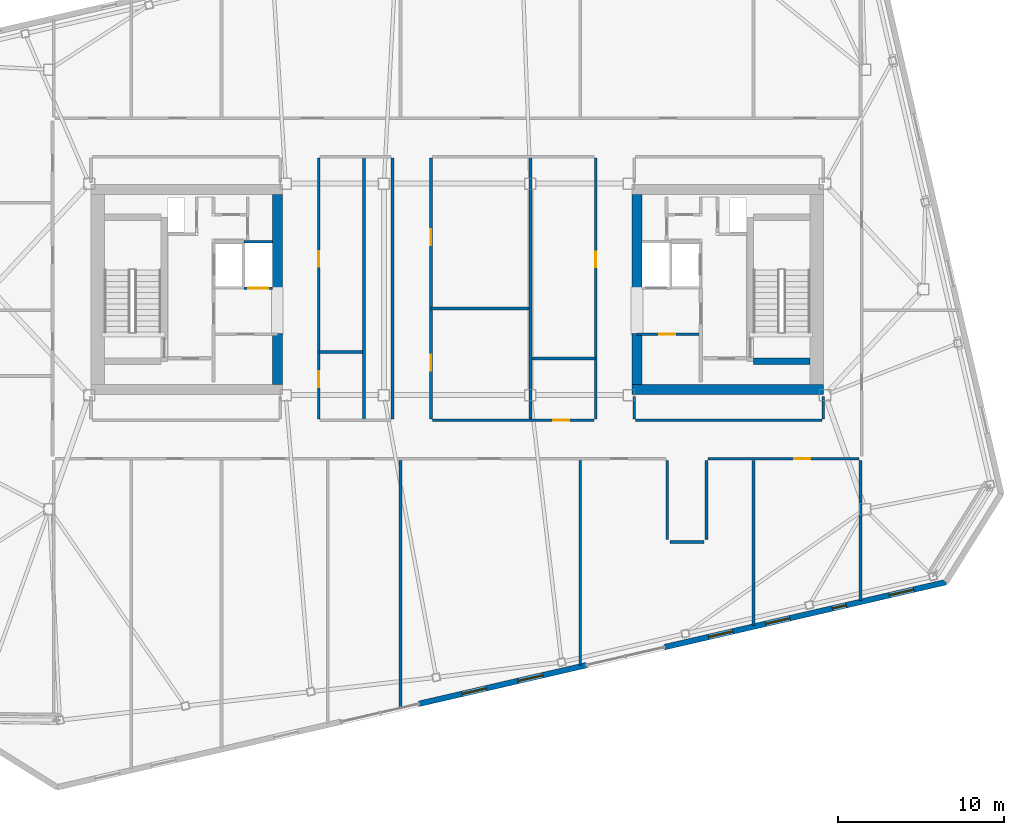
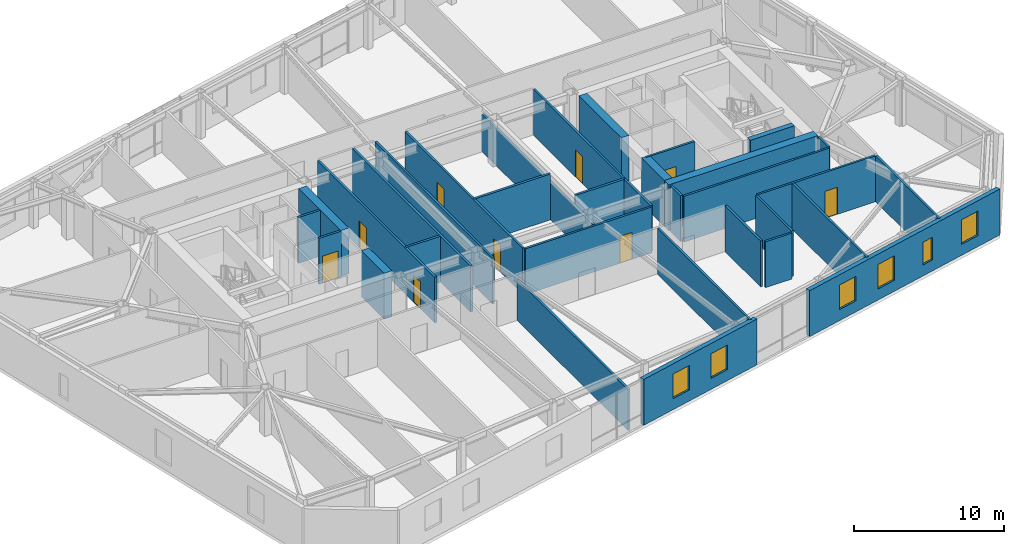
# One storey, part 17 of 23: 32 walls, 9 doors, 6 windows, 15 openings.
"""IFC4 building model written with IfcOpenShell, lengths in metres."""

from ifc_helpers import new_model, si_unit, direction, frame, frame_2d, origin, place, context, subcontext, project, spatial, rectangle, extrude, material, layer, layer_set, type_object, element, fill, save


model = new_model("IFC4")

# Units and contexts
model_context = context("Model", 3, precision=1e-05, world=origin(), true_north=direction((0.0, 1.0)))
body_context = subcontext(model_context, "Body", "Model", "MODEL_VIEW")
ifc_project = project(units=[si_unit("LENGTHUNIT", "METRE"), si_unit("AREAUNIT", "SQUARE_METRE"), si_unit("VOLUMEUNIT", "CUBIC_METRE"), si_unit("PLANEANGLEUNIT", "RADIAN"), si_unit("MASSUNIT", "GRAM", prefix="KILO")], contexts=[model_context])

# Site, building, storey
site_placement = place(None, origin())
site = spatial("IfcSite", under=ifc_project, at=site_placement, CompositionType="ELEMENT")
building_placement = place(site_placement, origin())
building = spatial("IfcBuilding", under=site, at=building_placement, Name="Tavrogorsk Clinical Tower", CompositionType="ELEMENT")
storey_placement = place(building_placement, frame((0.0, 0.0, 301.0)))
storey = spatial("IfcBuildingStorey", under=building, at=storey_placement, Name="L70", CompositionType="ELEMENT", Elevation=301.0)

# Wall, opening, door
ifc_material_1 = material(Name="Lightweight concrete blockwork B15", Category="masonry")
ifc_layer_1 = layer(ifc_material_1, 0.159912109375)
ifc_layer_set_1 = layer_set([ifc_layer_1], Name="Lightweight concrete blockwork B15")
wall_type_1 = type_object("IfcWallType", Name="PartitionWall_160", PredefinedType="PARTITIONING", material=ifc_layer_set_1)
wall_1_placement = place(storey_placement, frame((10.800048828125, -2.699951171875, 0.0), z_axis=(0.0, 0.0, 1.0), x_axis=(1.0, 0.0, 0.0)))
wall_1 = element("IfcWall", 1, at=wall_1_placement, inside=storey, type_object=wall_type_1, Name="L70 Core East Freed Mid-Bank North Partition", PredefinedType="PARTITIONING", context=body_context, shape_type="SweptSolid", body=[
    extrude(rectangle(XDim=3.73486328125, YDim=0.159912109375, at=frame_2d((1.867431640625, 0.0))), origin(), (0.0, 0.0, 1.0), 3.739990234375),
])
opening_1_placement = place(wall_1_placement, frame((1.35009765625, 0.0, 0.0)))
opening_1 = element("IfcOpeningElement", 2, at=opening_1_placement, cuts=wall_1, Name="Opening ID-02", PredefinedType="OPENING", context=body_context, shape_type="SweptSolid", body=[
    extrude(rectangle(XDim=0.949951171875, YDim=2.199951171875, at=frame_2d((0.47509765625, 1.10009765625))), frame((0.0, 0.08984375, 0.0), z_axis=(0.0, -1.0, 0.0), x_axis=(1.0, 0.0, 0.0)), (0.0, 0.0, 1.0), 0.179931640625),
])
ifc_material_2 = material(Name="Laminated timber leaf on aluminium frame", Category="wood")
door_type_1 = type_object("IfcDoorType", Name="InteriorDoor_ID02_950", OperationType="NOTDEFINED", PredefinedType="DOOR", material=ifc_material_2)
door_1_placement = place(opening_1_placement, origin())
door_1 = element("IfcDoor", 3, at=door_1_placement, inside=storey, type_object=door_type_1, Name="L70 Core East Pharmacy Prep Door", OperationType="SINGLE_SWING_LEFT", OverallHeight=2.199951171875, OverallWidth=0.949951171875, PredefinedType="DOOR", context=body_context, shape_type="SweptSolid", body=[
    extrude(rectangle(XDim=0.949951171875, YDim=2.199951171875, at=frame_2d((0.47509765625, 1.10009765625))), frame((0.0, 0.02490234375, 0.0), z_axis=(0.0, -1.0, 0.0), x_axis=(1.0, 0.0, 0.0)), (0.0, 0.0, 1.0), 0.050048828125),
])
fill(opening_1, door_1)

wall_2_placement = place(storey_placement, frame((24.14501953125, -10.179931640625, 0.0), z_axis=(0.0, 0.0, 1.0), x_axis=(-1.0, 0.0, 0.0)))
wall_2 = element("IfcWall", 4, at=wall_2_placement, inside=storey, type_object=wall_type_1, Name="L70 Corridor Partition 04", PredefinedType="PARTITIONING", context=body_context, shape_type="SweptSolid", body=[
    extrude(rectangle(XDim=9.080078125, YDim=0.159912109375, at=frame_2d((4.5400390625, 0.0))), origin(), (0.0, 0.0, 1.0), 3.739990234375),
])
opening_2_placement = place(wall_2_placement, frame((2.93408203125, 0.0, 0.0)))
opening_2 = element("IfcOpeningElement", 5, at=opening_2_placement, cuts=wall_2, Name="Opening ID-02", PredefinedType="OPENING", context=body_context, shape_type="SweptSolid", body=[
    extrude(rectangle(XDim=0.949951171875, YDim=2.199951171875, at=frame_2d((0.47509765625, 1.10009765625))), frame((0.0, 0.08984375, 0.0), z_axis=(0.0, -1.0, 0.0), x_axis=(1.0, 0.0, 0.0)), (0.0, 0.0, 1.0), 0.179931640625),
])
door_2_placement = place(opening_2_placement, origin())
door_2 = element("IfcDoor", 6, at=door_2_placement, inside=storey, type_object=door_type_1, Name="L70 South Clinical Case Seminar Room 06 Door", OperationType="SINGLE_SWING_LEFT", OverallHeight=2.199951171875, OverallWidth=0.949951171875, PredefinedType="DOOR", context=body_context, shape_type="SweptSolid", body=[
    extrude(rectangle(XDim=0.949951171875, YDim=2.199951171875, at=frame_2d((0.47509765625, 1.10009765625))), frame((0.0, 0.02490234375, 0.0), z_axis=(0.0, -1.0, 0.0), x_axis=(1.0, 0.0, 0.0)), (0.0, 0.0, 1.0), 0.050048828125),
])
fill(opening_2, door_2)

# Walls
wall_3_placement = place(storey_placement, frame((14.97998046875, -10.264892578125, 0.0), z_axis=(0.0, 0.0, 1.0), x_axis=(0.0, -1.0, 0.0)))
element("IfcWall", 7, at=wall_3_placement, inside=storey, type_object=wall_type_1, Name="L70 Corridor Partition 05", PredefinedType="PARTITIONING", context=body_context, shape_type="SweptSolid", body=[
    extrude(rectangle(XDim=4.75, YDim=0.159912109375, at=frame_2d((2.375, 0.0))), origin(), (0.0, 0.0, 1.0), 3.739990234375),
])
wall_4_placement = place(storey_placement, frame((14.81494140625, -15.179931640625, 0.0), z_axis=(0.0, 0.0, 1.0), x_axis=(-1.0, 0.0, 0.0)))
element("IfcWall", 8, at=wall_4_placement, inside=storey, type_object=wall_type_1, Name="L70 Corridor Partition 06", PredefinedType="PARTITIONING", context=body_context, shape_type="SweptSolid", body=[
    extrude(rectangle(XDim=2.030029296875, YDim=0.159912109375, at=frame_2d((1.01513671875, 0.0))), origin(), (0.0, 0.0, 1.0), 3.739990234375),
])
wall_5_placement = place(storey_placement, frame((12.6201171875, -15.014892578125, 0.0), z_axis=(0.0, 0.0, 1.0), x_axis=(0.0, 1.0, 0.0)))
element("IfcWall", 9, at=wall_5_placement, inside=storey, type_object=wall_type_1, Name="L70 Corridor Partition 07", PredefinedType="PARTITIONING", context=body_context, shape_type="SweptSolid", body=[
    extrude(rectangle(XDim=4.75, YDim=0.159912109375, at=frame_2d((2.375, 0.0))), origin(), (0.0, 0.0, 1.0), 3.739990234375),
])
wall_6_placement = place(storey_placement, frame((10.6298828125, -6.419921875, 0.0), z_axis=(0.0, 0.0, 1.0), x_axis=(0.0, -1.0, 0.0)))
element("IfcWall", 10, at=wall_6_placement, inside=storey, type_object=wall_type_1, Name="L70 Corridor Partition 11", PredefinedType="PARTITIONING", context=body_context, shape_type="SweptSolid", body=[
    extrude(rectangle(XDim=1.364990234375, YDim=0.159912109375, at=frame_2d((0.6826171875, 0.0))), origin(), (0.0, 0.0, 1.0), 3.739990234375),
])
wall_7_placement = place(storey_placement, frame((10.715087890625, -7.8701171875, 0.0), z_axis=(0.0, 0.0, 1.0), x_axis=(1.0, 0.0, 0.0)))
element("IfcWall", 11, at=wall_7_placement, inside=storey, type_object=wall_type_1, Name="L70 Corridor Partition 12", PredefinedType="PARTITIONING", context=body_context, shape_type="SweptSolid", body=[
    extrude(rectangle(XDim=11.199951171875, YDim=0.159912109375, at=frame_2d((5.60009765625, 0.0))), origin(), (0.0, 0.0, 1.0), 3.739990234375),
])
wall_8_placement = place(storey_placement, frame((22.0, -7.784912109375, 0.0), z_axis=(0.0, 0.0, 1.0), x_axis=(0.0, 1.0, 0.0)))
element("IfcWall", 12, at=wall_8_placement, inside=storey, type_object=wall_type_1, Name="L70 Corridor Partition 13", PredefinedType="PARTITIONING", context=body_context, shape_type="SweptSolid", body=[
    extrude(rectangle(XDim=1.364990234375, YDim=0.159912109375, at=frame_2d((0.6826171875, 0.0))), origin(), (0.0, 0.0, 1.0), 3.739990234375),
])

# Wall, openings, doors
wall_9_placement = place(storey_placement, frame((-1.570068359375, 7.885009765625, 0.0), z_axis=(0.0, 0.0, 1.0), x_axis=(0.0, -1.0, 0.0)))
wall_9 = element("IfcWall", 13, at=wall_9_placement, inside=storey, type_object=wall_type_1, Name="L70 Corridor Partition 16", PredefinedType="PARTITIONING", context=body_context, shape_type="SweptSolid", body=[
    extrude(rectangle(XDim=15.669921875, YDim=0.159912109375, at=frame_2d((7.8349609375, 0.0))), origin(), (0.0, 0.0, 1.0), 3.739990234375),
])
opening_3_placement = place(wall_9_placement, frame((11.810791015625, 0.0, 0.0)))
opening_3 = element("IfcOpeningElement", 14, at=opening_3_placement, cuts=wall_9, Name="Opening ID-02", PredefinedType="OPENING", context=body_context, shape_type="SweptSolid", body=[
    extrude(rectangle(XDim=0.949951171875, YDim=2.199951171875, at=frame_2d((0.47509765625, 1.10009765625))), frame((0.0, 0.08984375, 0.0), z_axis=(0.0, -1.0, 0.0), x_axis=(1.0, 0.0, 0.0)), (0.0, 0.0, 1.0), 0.179931640625),
])
opening_4_placement = place(wall_9_placement, frame((4.279052734375, 0.0, 0.0)))
opening_4 = element("IfcOpeningElement", 15, at=opening_4_placement, cuts=wall_9, Name="Opening ID-02", PredefinedType="OPENING", context=body_context, shape_type="SweptSolid", body=[
    extrude(rectangle(XDim=0.949951171875, YDim=2.199951171875, at=frame_2d((0.47509765625, 1.10009765625))), frame((0.0, 0.08984375, 0.0), z_axis=(0.0, -1.0, 0.0), x_axis=(1.0, 0.0, 0.0)), (0.0, 0.0, 1.0), 0.179931640625),
])
door_3_placement = place(opening_3_placement, origin())
door_3 = element("IfcDoor", 16, at=door_3_placement, inside=storey, type_object=door_type_1, Name="L70 Multidisciplinary Conference Room Door", OperationType="SINGLE_SWING_RIGHT", OverallHeight=2.199951171875, OverallWidth=0.949951171875, PredefinedType="DOOR", context=body_context, shape_type="SweptSolid", body=[
    extrude(rectangle(XDim=0.949951171875, YDim=2.199951171875, at=frame_2d((0.47509765625, 1.10009765625))), frame((0.0, 0.02490234375, 0.0), z_axis=(0.0, -1.0, 0.0), x_axis=(1.0, 0.0, 0.0)), (0.0, 0.0, 1.0), 0.050048828125),
])
fill(opening_3, door_3)
door_4_placement = place(opening_4_placement, origin())
door_4 = element("IfcDoor", 17, at=door_4_placement, inside=storey, type_object=door_type_1, Name="L70 Nurses' Station & Triage Hub Door", OperationType="SINGLE_SWING_LEFT", OverallHeight=2.199951171875, OverallWidth=0.949951171875, PredefinedType="DOOR", context=body_context, shape_type="SweptSolid", body=[
    extrude(rectangle(XDim=0.949951171875, YDim=2.199951171875, at=frame_2d((0.47509765625, 1.10009765625))), frame((0.0, 0.02490234375, 0.0), z_axis=(0.0, -1.0, 0.0), x_axis=(1.0, 0.0, 0.0)), (0.0, 0.0, 1.0), 0.050048828125),
])
fill(opening_4, door_4)

# Wall, opening, door
wall_10_placement = place(storey_placement, frame((-1.485107421875, -7.8701171875, 0.0), z_axis=(0.0, 0.0, 1.0), x_axis=(1.0, 0.0, 0.0)))
wall_10 = element("IfcWall", 18, at=wall_10_placement, inside=storey, type_object=wall_type_1, Name="L70 Corridor Partition 17", PredefinedType="PARTITIONING", context=body_context, shape_type="SweptSolid", body=[
    extrude(rectangle(XDim=9.72021484375, YDim=0.159912109375, at=frame_2d((4.860107421875, 0.0))), origin(), (0.0, 0.0, 1.0), 3.739990234375),
])
opening_5_placement = place(wall_10_placement, frame((7.260986328125, 0.0, 0.0)))
opening_5 = element("IfcOpeningElement", 19, at=opening_5_placement, cuts=wall_10, Name="Opening ID-02", PredefinedType="OPENING", context=body_context, shape_type="SweptSolid", body=[
    extrude(rectangle(XDim=0.949951171875, YDim=2.199951171875, at=frame_2d((0.47509765625, 1.10009765625))), frame((0.0, 0.08984375, 0.0), z_axis=(0.0, -1.0, 0.0), x_axis=(1.0, 0.0, 0.0)), (0.0, 0.0, 1.0), 0.179931640625),
])
door_5_placement = place(opening_5_placement, origin())
door_5 = element("IfcDoor", 20, at=door_5_placement, inside=storey, type_object=door_type_1, Name="L70 Staff & Visitor Accessible WC Door", OperationType="SINGLE_SWING_RIGHT", OverallHeight=2.199951171875, OverallWidth=0.949951171875, PredefinedType="DOOR", context=body_context, shape_type="SweptSolid", body=[
    extrude(rectangle(XDim=0.949951171875, YDim=2.199951171875, at=frame_2d((0.47509765625, 1.10009765625))), frame((0.0, 0.02490234375, 0.0), z_axis=(0.0, -1.0, 0.0), x_axis=(1.0, 0.0, 0.0)), (0.0, 0.0, 1.0), 0.050048828125),
])
fill(opening_5, door_5)

wall_11_placement = place(storey_placement, frame((8.320068359375, -7.784912109375, 0.0), z_axis=(0.0, 0.0, 1.0), x_axis=(0.0, 1.0, 0.0)))
wall_11 = element("IfcWall", 21, at=wall_11_placement, inside=storey, type_object=wall_type_1, Name="L70 Corridor Partition 18", PredefinedType="PARTITIONING", context=body_context, shape_type="SweptSolid", body=[
    extrude(rectangle(XDim=15.669921875, YDim=0.159912109375, at=frame_2d((7.8349609375, 0.0))), origin(), (0.0, 0.0, 1.0), 3.739990234375),
])
opening_6_placement = place(wall_11_placement, frame((9.11083984375, 0.0, 0.0)))
opening_6 = element("IfcOpeningElement", 22, at=opening_6_placement, cuts=wall_11, Name="Opening ID-02", PredefinedType="OPENING", context=body_context, shape_type="SweptSolid", body=[
    extrude(rectangle(XDim=0.949951171875, YDim=2.199951171875, at=frame_2d((0.47509765625, 1.10009765625))), frame((0.0, 0.08984375, 0.0), z_axis=(0.0, -1.0, 0.0), x_axis=(1.0, 0.0, 0.0)), (0.0, 0.0, 1.0), 0.179931640625),
])
door_6_placement = place(opening_6_placement, origin())
door_6 = element("IfcDoor", 23, at=door_6_placement, inside=storey, type_object=door_type_1, Name="L70 Attending Physician Office Door", OperationType="SINGLE_SWING_LEFT", OverallHeight=2.199951171875, OverallWidth=0.949951171875, PredefinedType="DOOR", context=body_context, shape_type="SweptSolid", body=[
    extrude(rectangle(XDim=0.949951171875, YDim=2.199951171875, at=frame_2d((0.47509765625, 1.10009765625))), frame((0.0, 0.02490234375, 0.0), z_axis=(0.0, -1.0, 0.0), x_axis=(1.0, 0.0, 0.0)), (0.0, 0.0, 1.0), 0.050048828125),
])
fill(opening_6, door_6)

# Wall
wall_12_placement = place(storey_placement, frame((-3.8798828125, -7.784912109375, 0.0), z_axis=(0.0, 0.0, 1.0), x_axis=(0.0, 1.0, 0.0)))
element("IfcWall", 24, at=wall_12_placement, inside=storey, type_object=wall_type_1, Name="L70 Corridor Partition 19", PredefinedType="PARTITIONING", context=body_context, shape_type="SweptSolid", body=[
    extrude(rectangle(XDim=15.669921875, YDim=0.159912109375, at=frame_2d((7.8349609375, 0.0))), origin(), (0.0, 0.0, 1.0), 3.739990234375),
])

# Wall, openings, doors
wall_13_placement = place(storey_placement, frame((-8.320068359375, 7.885009765625, 0.0), z_axis=(0.0, 0.0, 1.0), x_axis=(0.0, -1.0, 0.0)))
wall_13 = element("IfcWall", 25, at=wall_13_placement, inside=storey, type_object=wall_type_1, Name="L70 Corridor Partition 21", PredefinedType="PARTITIONING", context=body_context, shape_type="SweptSolid", body=[
    extrude(rectangle(XDim=15.669921875, YDim=0.159912109375, at=frame_2d((7.8349609375, 0.0))), origin(), (0.0, 0.0, 1.0), 3.739990234375),
])
opening_7_placement = place(wall_13_placement, frame((12.810791015625, 0.0, 0.0)))
opening_7 = element("IfcOpeningElement", 26, at=opening_7_placement, cuts=wall_13, Name="Opening ID-02", PredefinedType="OPENING", context=body_context, shape_type="SweptSolid", body=[
    extrude(rectangle(XDim=0.949951171875, YDim=2.199951171875, at=frame_2d((0.47509765625, 1.10009765625))), frame((0.0, 0.08984375, 0.0), z_axis=(0.0, -1.0, 0.0), x_axis=(1.0, 0.0, 0.0)), (0.0, 0.0, 1.0), 0.179931640625),
])
opening_8_placement = place(wall_13_placement, frame((5.5791015625, 0.0, 0.0)))
opening_8 = element("IfcOpeningElement", 27, at=opening_8_placement, cuts=wall_13, Name="Opening ID-02", PredefinedType="OPENING", context=body_context, shape_type="SweptSolid", body=[
    extrude(rectangle(XDim=0.949951171875, YDim=2.199951171875, at=frame_2d((0.47509765625, 1.10009765625))), frame((0.0, 0.08984375, 0.0), z_axis=(0.0, -1.0, 0.0), x_axis=(1.0, 0.0, 0.0)), (0.0, 0.0, 1.0), 0.179931640625),
])
door_7_placement = place(opening_7_placement, origin())
door_7 = element("IfcDoor", 28, at=door_7_placement, inside=storey, type_object=door_type_1, Name="L70 Accessible Patient Lavatory Door", OperationType="SINGLE_SWING_RIGHT", OverallHeight=2.199951171875, OverallWidth=0.949951171875, PredefinedType="DOOR", context=body_context, shape_type="SweptSolid", body=[
    extrude(rectangle(XDim=0.949951171875, YDim=2.199951171875, at=frame_2d((0.47509765625, 1.10009765625))), frame((0.0, 0.02490234375, 0.0), z_axis=(0.0, -1.0, 0.0), x_axis=(1.0, 0.0, 0.0)), (0.0, 0.0, 1.0), 0.050048828125),
])
fill(opening_7, door_7)
door_8_placement = place(opening_8_placement, origin())
door_8 = element("IfcDoor", 29, at=door_8_placement, inside=storey, type_object=door_type_1, Name="L70 Ward Nourishment Pantry Door", OperationType="SINGLE_SWING_LEFT", OverallHeight=2.199951171875, OverallWidth=0.949951171875, PredefinedType="DOOR", context=body_context, shape_type="SweptSolid", body=[
    extrude(rectangle(XDim=0.949951171875, YDim=2.199951171875, at=frame_2d((0.47509765625, 1.10009765625))), frame((0.0, 0.02490234375, 0.0), z_axis=(0.0, -1.0, 0.0), x_axis=(1.0, 0.0, 0.0)), (0.0, 0.0, 1.0), 0.050048828125),
])
fill(opening_8, door_8)

# Walls
wall_14_placement = place(storey_placement, frame((24.22998046875, -18.702880859375, 0.0), z_axis=(0.0, 0.0, 1.0), x_axis=(0.0, 1.0, 0.0)))
element("IfcWall", 30, at=wall_14_placement, inside=storey, type_object=wall_type_1, Name="L70 SE Wing Closure Partition", PredefinedType="PARTITIONING", context=body_context, shape_type="SweptSolid", body=[
    extrude(rectangle(XDim=8.43798828125, YDim=0.159912109375, at=frame_2d((4.218994140625, 0.0))), origin(), (0.0, 0.0, 1.0), 3.739990234375),
])
wall_15_placement = place(storey_placement, frame((-3.39990234375, -25.081787109375, 0.0), z_axis=(0.0, 0.0, 1.0), x_axis=(0.0, 1.0, 0.0)))
element("IfcWall", 31, at=wall_15_placement, inside=storey, type_object=wall_type_1, Name="L70 South Room Partition 3", PredefinedType="PARTITIONING", context=body_context, shape_type="SweptSolid", body=[
    extrude(rectangle(XDim=14.81689453125, YDim=0.159912109375, at=frame_2d((7.408447265625, 0.0))), origin(), (0.0, 0.0, 1.0), 3.3349609375),
])
wall_16_placement = place(storey_placement, frame((7.39990234375, -22.58837890625, 0.0), z_axis=(0.0, 0.0, 1.0), x_axis=(0.0, 1.0, 0.0)))
element("IfcWall", 32, at=wall_16_placement, inside=storey, type_object=wall_type_1, Name="L70 South Room Partition 4", PredefinedType="PARTITIONING", context=body_context, shape_type="SweptSolid", body=[
    extrude(rectangle(XDim=12.323486328125, YDim=0.159912109375, at=frame_2d((6.16162109375, 0.0))), origin(), (0.0, 0.0, 1.0), 3.739990234375),
])
wall_17_placement = place(storey_placement, frame((17.800048828125, -20.187255859375, 0.0), z_axis=(0.0, 0.0, 1.0), x_axis=(0.0, 1.0, 0.0)))
element("IfcWall", 33, at=wall_17_placement, inside=storey, type_object=wall_type_1, Name="L70 South Room Partition 5", PredefinedType="PARTITIONING", context=body_context, shape_type="SweptSolid", body=[
    extrude(rectangle(XDim=9.92236328125, YDim=0.159912109375, at=frame_2d((4.961181640625, 0.0))), origin(), (0.0, 0.0, 1.0), 3.739990234375),
])
ifc_material_3 = material(Name="Lightweight concrete blockwork B20", Category="masonry")
ifc_layer_2 = layer(ifc_material_3, 0.179931640625)
ifc_layer_set_2 = layer_set([ifc_layer_2], Name="Lightweight concrete blockwork B20")
wall_type_2 = type_object("IfcWallType", Name="PartitionWall_180", PredefinedType="PARTITIONING", material=ifc_layer_set_2)
wall_18_placement = place(storey_placement, frame((-5.60009765625, -7.864990234375, 0.0), z_axis=(0.0, 0.0, 1.0), x_axis=(0.0, 1.0, 0.0)))
element("IfcWall", 34, at=wall_18_placement, inside=storey, type_object=wall_type_2, Name="L70 Central Spine Partition 1", PredefinedType="PARTITIONING", context=body_context, shape_type="SweptSolid", body=[
    extrude(rectangle(XDim=15.830078125, YDim=0.179931640625, at=frame_2d((7.9150390625, 0.0))), origin(), (0.0, 0.0, 1.0), 3.739990234375),
])
wall_19_placement = place(storey_placement, frame((4.39990234375, -7.864990234375, 0.0), z_axis=(0.0, 0.0, 1.0), x_axis=(0.0, 1.0, 0.0)))
element("IfcWall", 35, at=wall_19_placement, inside=storey, type_object=wall_type_2, Name="L70 Central Spine Partition 2", PredefinedType="PARTITIONING", context=body_context, shape_type="SweptSolid", body=[
    extrude(rectangle(XDim=15.830078125, YDim=0.179931640625, at=frame_2d((7.9150390625, 0.0))), origin(), (0.0, 0.0, 1.0), 3.034912109375),
])
wall_20_placement = place(storey_placement, frame((-1.56494140625, -1.14990234375, 0.0), z_axis=(0.0, 0.0, 1.0), x_axis=(1.0, 0.0, 0.0)))
element("IfcWall", 36, at=wall_20_placement, inside=storey, type_object=wall_type_2, Name="L70 Central Spine Partition 3", PredefinedType="PARTITIONING", context=body_context, shape_type="SweptSolid", body=[
    extrude(rectangle(XDim=5.869873046875, YDim=0.179931640625, at=frame_2d((2.93505859375, 0.0))), origin(), (0.0, 0.0, 1.0), 3.739990234375),
])
wall_21_placement = place(storey_placement, frame((-8.31494140625, -3.75, 0.0), z_axis=(0.0, 0.0, 1.0), x_axis=(1.0, 0.0, 0.0)))
element("IfcWall", 37, at=wall_21_placement, inside=storey, type_object=wall_type_2, Name="L70 Central Spine Partition 4", PredefinedType="PARTITIONING", context=body_context, shape_type="SweptSolid", body=[
    extrude(rectangle(XDim=2.619873046875, YDim=0.179931640625, at=frame_2d((1.31005859375, 0.0))), origin(), (0.0, 0.0, 1.0), 3.739990234375),
])
wall_22_placement = place(storey_placement, frame((4.4951171875, -4.14990234375, 0.0), z_axis=(0.0, 0.0, 1.0), x_axis=(1.0, 0.0, 0.0)))
element("IfcWall", 38, at=wall_22_placement, inside=storey, type_object=wall_type_2, Name="L70 Central Spine Partition 5", PredefinedType="PARTITIONING", context=body_context, shape_type="SweptSolid", body=[
    extrude(rectangle(XDim=3.81982421875, YDim=0.179931640625, at=frame_2d((1.909912109375, 0.0))), origin(), (0.0, 0.0, 1.0), 3.739990234375),
])

# Wall, openings, windows
ifc_material_4 = material(Name="Precast concrete B45 with limestone cladding", Category="masonry")
ifc_layer_3 = layer(ifc_material_4, 0.340087890625)
ifc_layer_set_3 = layer_set([ifc_layer_3], Name="Precast concrete B45 with limestone cladding")
wall_type_3 = type_object("IfcWallType", Name="PrecastLimestoneWall_340", PredefinedType="STANDARD", material=ifc_layer_set_3)
wall_23_placement = place(storey_placement, frame((-2.294921875, -24.8984375, 0.0), z_axis=(0.0, 0.0, 1.0), x_axis=(0.974370872906, 0.224947553958, 0.0)))
wall_23 = element("IfcWall", 39, at=wall_23_placement, inside=storey, type_object=wall_type_3, Name="L70 S Limestone Facade Wall 2", PredefinedType="STANDARD", context=body_context, shape_type="SweptSolid", body=[
    extrude(rectangle(XDim=10.327880859375, YDim=0.340087890625, at=frame_2d((5.1640625, 0.0))), origin(), (0.0, 0.0, 1.0), 3.739990234375),
])
opening_9_placement = place(wall_23_placement, frame((2.65478515625, 0.0, 0.89990234375)))
opening_9 = element("IfcOpeningElement", 40, at=opening_9_placement, cuts=wall_23, Name="Opening WN-05", PredefinedType="OPENING", context=body_context, shape_type="SweptSolid", body=[
    extrude(rectangle(XDim=1.5, YDim=2.0, at=frame_2d((0.75, 1.0))), frame((0.0, 0.179931640625, 0.0), z_axis=(0.0, -1.0, 0.0), x_axis=(1.0, 0.0, 0.0)), (0.0, 0.0, 1.0), 0.360107421875),
])
opening_10_placement = place(wall_23_placement, frame((6.124267578125, 0.0, 0.89990234375)))
opening_10 = element("IfcOpeningElement", 41, at=opening_10_placement, cuts=wall_23, Name="Opening WN-05", PredefinedType="OPENING", context=body_context, shape_type="SweptSolid", body=[
    extrude(rectangle(XDim=1.5, YDim=2.0, at=frame_2d((0.75, 1.0))), frame((0.0, 0.179931640625, 0.0), z_axis=(0.0, -1.0, 0.0), x_axis=(1.0, 0.0, 0.0)), (0.0, 0.0, 1.0), 0.360107421875),
])
ifc_material_5 = material(Name="Thermally broken aluminium frame and triple IGU", Category="aluminium")
window_type_1 = type_object("IfcWindowType", Name="ConsultWin_1500x2000", PartitioningType="SINGLE_PANEL", PredefinedType="WINDOW", material=ifc_material_5)
window_1_placement = place(opening_9_placement, origin())
window_1 = element("IfcWindow", 42, at=window_1_placement, inside=storey, type_object=window_type_1, Name="L70 S Chicago Window 05", OverallHeight=2.0, OverallWidth=1.5, PartitioningType="SINGLE_PANEL", PredefinedType="WINDOW", context=body_context, shape_type="SweptSolid", body=[
    extrude(rectangle(XDim=1.5, YDim=2.0, at=frame_2d((0.75, 1.0))), frame((0.0, 0.030029296875, 0.0), z_axis=(0.0, -1.0, 0.0), x_axis=(1.0, 0.0, 0.0)), (0.0, 0.0, 1.0), 0.06005859375),
])
fill(opening_9, window_1)
window_2_placement = place(opening_10_placement, origin())
window_2 = element("IfcWindow", 43, at=window_2_placement, inside=storey, type_object=window_type_1, Name="L70 S Chicago Window 06", OverallHeight=2.0, OverallWidth=1.5, PartitioningType="SINGLE_PANEL", PredefinedType="WINDOW", context=body_context, shape_type="SweptSolid", body=[
    extrude(rectangle(XDim=1.5, YDim=2.0, at=frame_2d((0.75, 1.0))), frame((0.0, 0.030029296875, 0.0), z_axis=(0.0, -1.0, 0.0), x_axis=(1.0, 0.0, 0.0)), (0.0, 0.0, 1.0), 0.06005859375),
])
fill(opening_10, window_2)

wall_24_placement = place(storey_placement, frame((12.4453125, -21.495361328125, 0.0), z_axis=(0.0, 0.0, 1.0), x_axis=(0.974369392164, 0.224953967767, 0.0)))
wall_24 = element("IfcWall", 44, at=wall_24_placement, inside=storey, type_object=wall_type_3, Name="L70 S Limestone Facade Wall 3", PredefinedType="STANDARD", context=body_context, shape_type="SweptSolid", body=[
    extrude(rectangle(XDim=17.36572265625, YDim=0.340087890625, at=frame_2d((8.682861328125, 0.0))), origin(), (0.0, 0.0, 1.0), 3.739990234375),
])
opening_11_placement = place(wall_24_placement, frame((2.728515625, 0.0, 0.89990234375)))
opening_11 = element("IfcOpeningElement", 45, at=opening_11_placement, cuts=wall_24, Name="Opening WN-05", PredefinedType="OPENING", context=body_context, shape_type="SweptSolid", body=[
    extrude(rectangle(XDim=1.5, YDim=2.0, at=frame_2d((0.75, 1.0))), frame((0.0, 0.179931640625, 0.0), z_axis=(0.0, -1.0, 0.0), x_axis=(1.0, 0.0, 0.0)), (0.0, 0.0, 1.0), 0.360107421875),
])
opening_12_placement = place(wall_24_placement, frame((6.240234375, 0.0, 0.89990234375)))
opening_12 = element("IfcOpeningElement", 46, at=opening_12_placement, cuts=wall_24, Name="Opening WN-05", PredefinedType="OPENING", context=body_context, shape_type="SweptSolid", body=[
    extrude(rectangle(XDim=1.5, YDim=2.0, at=frame_2d((0.75, 1.0))), frame((0.0, 0.179931640625, 0.0), z_axis=(0.0, -1.0, 0.0), x_axis=(1.0, 0.0, 0.0)), (0.0, 0.0, 1.0), 0.360107421875),
])
opening_13_placement = place(wall_24_placement, frame((10.36279296875, 0.0, 0.89990234375)))
opening_13 = element("IfcOpeningElement", 47, at=opening_13_placement, cuts=wall_24, Name="Opening WN-06", PredefinedType="OPENING", context=body_context, shape_type="SweptSolid", body=[
    extrude(rectangle(XDim=0.85009765625, YDim=1.85009765625, at=frame_2d((0.425048828125, 0.925048828125))), frame((0.0, 0.179931640625, 0.0), z_axis=(0.0, -1.0, 0.0), x_axis=(1.0, 0.0, 0.0)), (0.0, 0.0, 1.0), 0.360107421875),
])
opening_14_placement = place(wall_24_placement, frame((13.87451171875, 0.0, 0.89990234375)))
opening_14 = element("IfcOpeningElement", 48, at=opening_14_placement, cuts=wall_24, Name="Opening WN-05", PredefinedType="OPENING", context=body_context, shape_type="SweptSolid", body=[
    extrude(rectangle(XDim=1.5, YDim=2.0, at=frame_2d((0.75, 1.0))), frame((0.0, 0.179931640625, 0.0), z_axis=(0.0, -1.0, 0.0), x_axis=(1.0, 0.0, 0.0)), (0.0, 0.0, 1.0), 0.360107421875),
])
window_3_placement = place(opening_11_placement, origin())
window_3 = element("IfcWindow", 49, at=window_3_placement, inside=storey, type_object=window_type_1, Name="L70 S Chicago Window 07", OverallHeight=2.0, OverallWidth=1.5, PartitioningType="SINGLE_PANEL", PredefinedType="WINDOW", context=body_context, shape_type="SweptSolid", body=[
    extrude(rectangle(XDim=1.5, YDim=2.0, at=frame_2d((0.75, 1.0))), frame((0.0, 0.030029296875, 0.0), z_axis=(0.0, -1.0, 0.0), x_axis=(1.0, 0.0, 0.0)), (0.0, 0.0, 1.0), 0.06005859375),
])
fill(opening_11, window_3)
window_4_placement = place(opening_12_placement, origin())
window_4 = element("IfcWindow", 50, at=window_4_placement, inside=storey, type_object=window_type_1, Name="L70 S Chicago Window 08", OverallHeight=2.0, OverallWidth=1.5, PartitioningType="SINGLE_PANEL", PredefinedType="WINDOW", context=body_context, shape_type="SweptSolid", body=[
    extrude(rectangle(XDim=1.5, YDim=2.0, at=frame_2d((0.75, 1.0))), frame((0.0, 0.030029296875, 0.0), z_axis=(0.0, -1.0, 0.0), x_axis=(1.0, 0.0, 0.0)), (0.0, 0.0, 1.0), 0.06005859375),
])
fill(opening_12, window_4)
window_5_placement = place(opening_14_placement, origin())
window_5 = element("IfcWindow", 51, at=window_5_placement, inside=storey, type_object=window_type_1, Name="L70 S Chicago Window 10", OverallHeight=2.0, OverallWidth=1.5, PartitioningType="SINGLE_PANEL", PredefinedType="WINDOW", context=body_context, shape_type="SweptSolid", body=[
    extrude(rectangle(XDim=1.5, YDim=2.0, at=frame_2d((0.75, 1.0))), frame((0.0, 0.030029296875, 0.0), z_axis=(0.0, -1.0, 0.0), x_axis=(1.0, 0.0, 0.0)), (0.0, 0.0, 1.0), 0.06005859375),
])
fill(opening_14, window_5)
ifc_material_6 = material(Name="Thermally broken aluminium frame and triple IGU", Category="aluminium")
window_type_2 = type_object("IfcWindowType", Name="MullionSubWin_850x1850", PartitioningType="SINGLE_PANEL", PredefinedType="WINDOW", material=ifc_material_6)
window_6_placement = place(opening_13_placement, origin())
window_6 = element("IfcWindow", 52, at=window_6_placement, inside=storey, type_object=window_type_2, Name="L70 S Mullion Split Window 09A", OverallHeight=1.85009765625, OverallWidth=0.85009765625, PartitioningType="SINGLE_PANEL", PredefinedType="WINDOW", context=body_context, shape_type="SweptSolid", body=[
    extrude(rectangle(XDim=0.85009765625, YDim=1.85009765625, at=frame_2d((0.425048828125, 0.925048828125))), frame((0.0, 0.030029296875, 0.0), z_axis=(0.0, -1.0, 0.0), x_axis=(1.0, 0.0, 0.0)), (0.0, 0.0, 1.0), 0.06005859375),
])
fill(opening_13, window_6)

# Wall, opening, door
ifc_material_7 = material(Name="Lightweight concrete blockwork B25", Category="masonry")
ifc_layer_4 = layer(ifc_material_7, 0.159912109375)
ifc_layer_set_4 = layer_set([ifc_layer_4], Name="Lightweight concrete blockwork B25")
wall_type_4 = type_object("IfcWallType", Name="ShaftWall_160", PredefinedType="PARTITIONING", material=ifc_layer_set_4)
wall_25_placement = place(storey_placement, frame((-12.820068359375, 0.06005859375, 0.0), z_axis=(0.0, 0.0, 1.0), x_axis=(1.0, 0.0, 0.0)))
wall_25 = element("IfcWall", 53, at=wall_25_placement, inside=storey, type_object=wall_type_4, Name="L70 LP-H1 High-Zone Lift Portal Wall", PredefinedType="PARTITIONING", context=body_context, shape_type="SweptSolid", body=[
    extrude(rectangle(XDim=1.719970703125, YDim=0.159912109375, at=frame_2d((0.85986328125, 0.0))), origin(), (0.0, 0.0, 1.0), 3.739990234375),
])
opening_15_placement = place(wall_25_placement, frame((0.260009765625, 0.0, 0.0)))
opening_15 = element("IfcOpeningElement", 54, at=opening_15_placement, cuts=wall_25, Name="Opening LD", PredefinedType="OPENING", context=body_context, shape_type="SweptSolid", body=[
    extrude(rectangle(XDim=1.199951171875, YDim=2.199951171875, at=frame_2d((0.60009765625, 1.10009765625))), frame((0.0, 0.08984375, 0.0), z_axis=(0.0, -1.0, 0.0), x_axis=(1.0, 0.0, 0.0)), (0.0, 0.0, 1.0), 0.179931640625),
])
ifc_material_8 = material(Name="Brushed stainless steel AISI 304 sliding doors", Category="steel")
door_type_2 = type_object("IfcDoorType", Name="LiftLandingDoor_LD_1200", OperationType="SLIDING_TO_LEFT", PredefinedType="DOOR", material=ifc_material_8)
door_9_placement = place(opening_15_placement, origin())
door_9 = element("IfcDoor", 55, at=door_9_placement, inside=storey, type_object=door_type_2, Name="L70 LP-H1 Sliding Lift Landing Door", OperationType="SLIDING_TO_LEFT", OverallHeight=2.199951171875, OverallWidth=1.199951171875, PredefinedType="DOOR", context=body_context, shape_type="SweptSolid", body=[
    extrude(rectangle(XDim=1.199951171875, YDim=2.199951171875, at=frame_2d((0.60009765625, 1.10009765625))), frame((0.0, 0.02490234375, 0.0), z_axis=(0.0, -1.0, 0.0), x_axis=(1.0, 0.0, 0.0)), (0.0, 0.0, 1.0), 0.050048828125),
])
fill(opening_15, door_9)

# Walls
wall_26_placement = place(storey_placement, frame((-12.820068359375, 2.860107421875, 0.0), z_axis=(0.0, 0.0, 1.0), x_axis=(1.0, 0.0, 0.0)))
element("IfcWall", 56, at=wall_26_placement, inside=storey, type_object=wall_type_4, Name="L70 LP-H1 High-Zone Lift Rear Wall", PredefinedType="PARTITIONING", context=body_context, shape_type="SweptSolid", body=[
    extrude(rectangle(XDim=1.719970703125, YDim=0.159912109375, at=frame_2d((0.85986328125, 0.0))), origin(), (0.0, 0.0, 1.0), 3.739990234375),
])
ifc_material_9 = material(Name="Concrete B80", Category="concrete")
ifc_layer_5 = layer(ifc_material_9, 0.39990234375)
ifc_layer_set_5 = layer_set([ifc_layer_5], Name="Concrete B80")
wall_type_5 = type_object("IfcWallType", Name="ShearWall_400", PredefinedType="SHEAR", material=ifc_layer_set_5)
wall_27_placement = place(storey_placement, frame((17.800048828125, -4.324951171875, 0.0), z_axis=(0.0, 0.0, 1.0), x_axis=(1.0, 0.0, 0.0)))
element("IfcWall", 57, at=wall_27_placement, inside=storey, type_object=wall_type_5, Name="L70 Core East Stair Shaft South Shear Wall", PredefinedType="SHEAR", context=body_context, shape_type="SweptSolid", body=[
    extrude(rectangle(XDim=3.39990234375, YDim=0.39990234375, at=frame_2d((1.699951171875, 0.0))), origin(), (0.0, 0.0, 1.0), 3.739990234375),
])
ifc_material_10 = material(Name="Concrete B80", Category="concrete")
ifc_layer_6 = layer(ifc_material_10, 0.60009765625)
ifc_layer_set_6 = layer_set([ifc_layer_6], Name="Concrete B80")
wall_type_6 = type_object("IfcWallType", Name="ShearWall_600", PredefinedType="SHEAR", material=ifc_layer_set_6)
wall_28_placement = place(storey_placement, frame((-10.800048828125, -5.699951171875, 0.0), z_axis=(0.0, 0.0, 1.0), x_axis=(0.0, 1.0, 0.0)))
element("IfcWall", 58, at=wall_28_placement, inside=storey, type_object=wall_type_6, Name="L70 Core West Inner South Pier", PredefinedType="SHEAR", context=body_context, shape_type="SweptSolid", body=[
    extrude(rectangle(XDim=3.050048828125, YDim=0.60009765625, at=frame_2d((1.52490234375, 0.0))), origin(), (0.0, 0.0, 1.0), 3.739990234375),
])
wall_29_placement = place(storey_placement, frame((-10.800048828125, 0.050048828125, 0.0), z_axis=(0.0, 0.0, 1.0), x_axis=(0.0, 1.0, 0.0)))
element("IfcWall", 59, at=wall_29_placement, inside=storey, type_object=wall_type_6, Name="L70 Core West Inner North Pier", PredefinedType="SHEAR", context=body_context, shape_type="SweptSolid", body=[
    extrude(rectangle(XDim=5.64990234375, YDim=0.60009765625, at=frame_2d((2.824951171875, 0.0))), origin(), (0.0, 0.0, 1.0), 3.739990234375),
])
wall_30_placement = place(storey_placement, frame((10.5, -6.0, 0.0), z_axis=(0.0, 0.0, 1.0), x_axis=(1.0, 0.0, 0.0)))
element("IfcWall", 60, at=wall_30_placement, inside=storey, type_object=wall_type_6, Name="L70 Core East South Shear Wall", PredefinedType="SHEAR", context=body_context, shape_type="SweptSolid", body=[
    extrude(rectangle(XDim=11.5, YDim=0.60009765625, at=frame_2d((5.75, 0.0))), origin(), (0.0, 0.0, 1.0), 3.739990234375),
])
wall_31_placement = place(storey_placement, frame((10.800048828125, -5.699951171875, 0.0), z_axis=(0.0, 0.0, 1.0), x_axis=(0.0, 1.0, 0.0)))
element("IfcWall", 61, at=wall_31_placement, inside=storey, type_object=wall_type_6, Name="L70 Core East Inner South Pier", PredefinedType="SHEAR", context=body_context, shape_type="SweptSolid", body=[
    extrude(rectangle(XDim=3.050048828125, YDim=0.60009765625, at=frame_2d((1.52490234375, 0.0))), origin(), (0.0, 0.0, 1.0), 3.739990234375),
])
wall_32_placement = place(storey_placement, frame((10.800048828125, 0.050048828125, 0.0), z_axis=(0.0, 0.0, 1.0), x_axis=(0.0, 1.0, 0.0)))
element("IfcWall", 62, at=wall_32_placement, inside=storey, type_object=wall_type_6, Name="L70 Core East Inner North Pier", PredefinedType="SHEAR", context=body_context, shape_type="SweptSolid", body=[
    extrude(rectangle(XDim=5.64990234375, YDim=0.60009765625, at=frame_2d((2.824951171875, 0.0))), origin(), (0.0, 0.0, 1.0), 3.739990234375),
])

save(model, "model.ifc")
